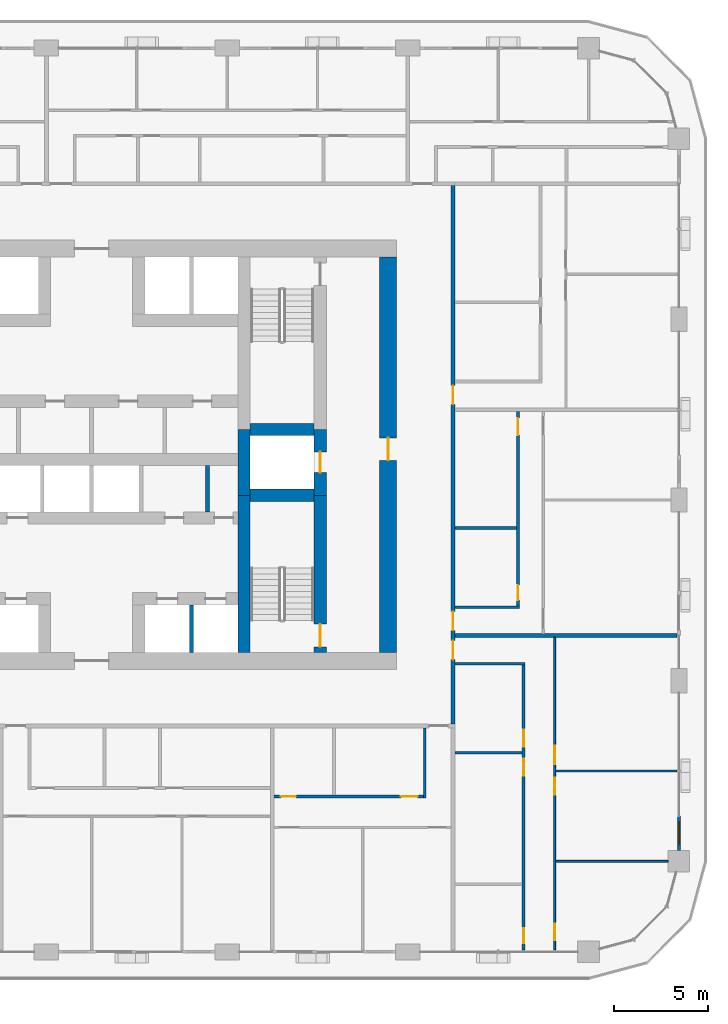
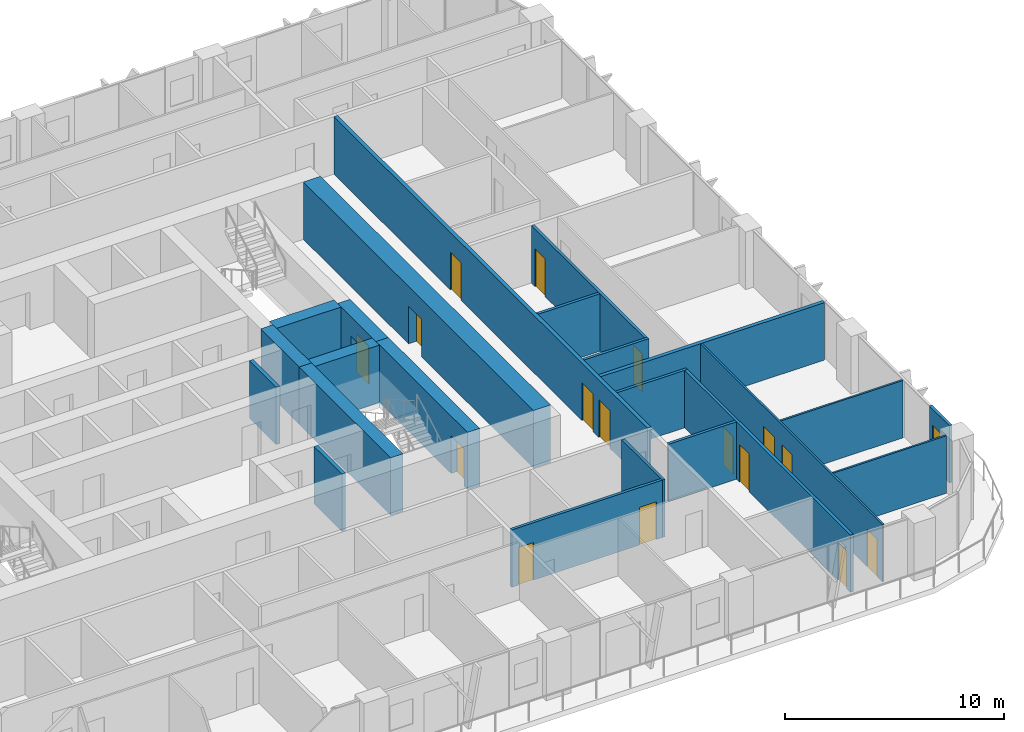
# One storey, part 12 of 22: 23 walls, 16 doors, 1 window, 17 openings.
"""IFC4 building model written with IfcOpenShell, lengths in metres."""

from ifc_helpers import new_model, si_unit, direction, frame, frame_2d, origin, place, context, subcontext, project, spatial, rectangle, extrude, material, layer, layer_set, type_object, element, fill, save


model = new_model("IFC4")

# Units and contexts
model_context = context("Model", 3, precision=1e-05, world=origin(), true_north=direction((0.0, 1.0)))
body_context = subcontext(model_context, "Body", "Model", "MODEL_VIEW")
ifc_project = project(units=[si_unit("LENGTHUNIT", "METRE"), si_unit("AREAUNIT", "SQUARE_METRE"), si_unit("VOLUMEUNIT", "CUBIC_METRE"), si_unit("PLANEANGLEUNIT", "RADIAN"), si_unit("MASSUNIT", "GRAM", prefix="KILO")], contexts=[model_context])

# Site, building, storey
site_placement = place(None, origin())
site = spatial("IfcSite", under=ifc_project, at=site_placement, CompositionType="ELEMENT")
building_placement = place(site_placement, origin())
building = spatial("IfcBuilding", under=site, at=building_placement, Name="Madar Terraces", CompositionType="ELEMENT")
storey_placement = place(building_placement, frame((0.0, 0.0, 59.300048828125)))
storey = spatial("IfcBuildingStorey", under=building, at=storey_placement, Name="L14", CompositionType="ELEMENT", Elevation=59.300048828125)

# Walls
ifc_material_1 = material(Name="Concrete C80/95", Category="concrete")
ifc_layer_1 = layer(ifc_material_1, 0.64990234375)
ifc_layer_set_1 = layer_set([ifc_layer_1], Name="Concrete C80/95 (CIW2 RC wall 650)")
wall_type_1 = type_object("IfcWallType", Name="CIW2 RC wall 650", PredefinedType="SHEAR", material=ifc_layer_set_1)
wall_1_placement = place(storey_placement, frame((39.300048828125, 15.89990234375, 0.0), z_axis=(0.0, 0.0, 1.0), x_axis=(0.0, 1.0, 0.0)))
element("IfcWall", 1, at=wall_1_placement, inside=storey, type_object=wall_type_1, Name="CORE SHAFT WALL", PredefinedType="SHEAR", context=body_context, shape_type="SweptSolid", body=[
    extrude(rectangle(XDim=8.35009765625, YDim=0.64990234375, at=frame_2d((4.175048828125, 0.0))), origin(), (0.0, 0.0, 1.0), 3.199951171875),
])
wall_2_placement = place(storey_placement, frame((39.300048828125, 24.25, 0.0), z_axis=(0.0, 0.0, 1.0), x_axis=(0.0, 1.0, 0.0)))
element("IfcWall", 2, at=wall_2_placement, inside=storey, type_object=wall_type_1, Name="CORE SHAFT WALL", PredefinedType="SHEAR", context=body_context, shape_type="SweptSolid", body=[
    extrude(rectangle(XDim=3.5, YDim=0.64990234375, at=frame_2d((1.75, 0.0))), origin(), (0.0, 0.0, 1.0), 3.199951171875),
])

# Wall, opening, door
wall_3_placement = place(storey_placement, frame((43.35009765625, 15.89990234375, 0.0), z_axis=(0.0, 0.0, 1.0), x_axis=(0.0, 1.0, 0.0)))
wall_3 = element("IfcWall", 3, at=wall_3_placement, inside=storey, type_object=wall_type_1, Name="CORE SHAFT WALL", PredefinedType="SHEAR", context=body_context, shape_type="SweptSolid", body=[
    extrude(rectangle(XDim=8.35009765625, YDim=0.64990234375, at=frame_2d((4.175048828125, 0.0))), origin(), (0.0, 0.0, 1.0), 3.199951171875),
])
opening_1_placement = place(wall_3_placement, frame((0.300048828125, 0.0, 0.0)))
opening_1 = element("IfcOpeningElement", 4, at=opening_1_placement, cuts=wall_3, Name="Opening SD1", PredefinedType="OPENING", context=body_context, shape_type="SweptSolid", body=[
    extrude(rectangle(XDim=1.199951171875, YDim=2.10009765625, at=frame_2d((0.60009765625, 1.050048828125))), frame((0.0, 0.3349609375, 0.0), z_axis=(0.0, -1.0, 0.0), x_axis=(1.0, 0.0, 0.0)), (0.0, 0.0, 1.0), 0.669921875),
])
ifc_material_2 = material(Name="Steel door leaf", Category="steel")
door_type_1 = type_object("IfcDoorType", Name="Stair door 1200 x 2100", OperationType="NOTDEFINED", PredefinedType="DOOR", material=ifc_material_2)
door_1_placement = place(opening_1_placement, origin())
door_1 = element("IfcDoor", 5, at=door_1_placement, inside=storey, type_object=door_type_1, Name="STAIR DOOR", OperationType="SINGLE_SWING_LEFT", OverallHeight=2.10009765625, OverallWidth=1.199951171875, PredefinedType="DOOR", context=body_context, shape_type="SweptSolid", body=[
    extrude(rectangle(XDim=1.199951171875, YDim=2.10009765625, at=frame_2d((0.60009765625, 1.050048828125))), frame((0.0, 0.02490234375, 0.0), z_axis=(0.0, -1.0, 0.0), x_axis=(1.0, 0.0, 0.0)), (0.0, 0.0, 1.0), 0.050048828125),
])
fill(opening_1, door_1)

wall_4_placement = place(storey_placement, frame((43.35009765625, 24.25, 0.0), z_axis=(0.0, 0.0, 1.0), x_axis=(0.0, 1.0, 0.0)))
wall_4 = element("IfcWall", 6, at=wall_4_placement, inside=storey, type_object=wall_type_1, Name="CORE SHAFT WALL", PredefinedType="SHEAR", context=body_context, shape_type="SweptSolid", body=[
    extrude(rectangle(XDim=3.5, YDim=0.64990234375, at=frame_2d((1.75, 0.0))), origin(), (0.0, 0.0, 1.0), 3.199951171875),
])
opening_2_placement = place(wall_4_placement, frame((1.199951171875, 0.0, 0.0)))
opening_2 = element("IfcOpeningElement", 7, at=opening_2_placement, cuts=wall_4, Name="Opening LD", PredefinedType="OPENING", context=body_context, shape_type="SweptSolid", body=[
    extrude(rectangle(XDim=1.10009765625, YDim=2.10009765625, at=frame_2d((0.550048828125, 1.050048828125))), frame((0.0, 0.3349609375, 0.0), z_axis=(0.0, -1.0, 0.0), x_axis=(1.0, 0.0, 0.0)), (0.0, 0.0, 1.0), 0.669921875),
])
ifc_material_3 = material(Name="Stainless steel panel", Category="steel")
door_type_2 = type_object("IfcDoorType", Name="Lift landing door 1100 x 2100", OperationType="DOUBLE_DOOR_SLIDING", PredefinedType="DOOR", material=ifc_material_3)
door_2_placement = place(opening_2_placement, origin())
door_2 = element("IfcDoor", 8, at=door_2_placement, inside=storey, type_object=door_type_2, Name="LIFT LANDING DOOR", OperationType="DOUBLE_DOOR_SLIDING", OverallHeight=2.10009765625, OverallWidth=1.10009765625, PredefinedType="DOOR", context=body_context, shape_type="SweptSolid", body=[
    extrude(rectangle(XDim=1.10009765625, YDim=2.10009765625, at=frame_2d((0.550048828125, 1.050048828125))), frame((0.0, 0.02490234375, 0.0), z_axis=(0.0, -1.0, 0.0), x_axis=(1.0, 0.0, 0.0)), (0.0, 0.0, 1.0), 0.050048828125),
])
fill(opening_2, door_2)

# Walls
for number, where, z_axis, x_axis, name in (
    (9, (39.625, 24.25, 0.0), (0.0, 0.0, 1.0), (1.0, 0.0, 0.0), "CORE SHAFT WALL"),
    (10, (39.625, 27.75, 0.0), (0.0, 0.0, 1.0), (1.0, 0.0, 0.0), "CORE SHAFT WALL"),
):
    element("IfcWall", number, at=place(storey_placement, frame(where, z_axis=z_axis, x_axis=x_axis)), inside=storey, type_object=wall_type_1, Name=name, PredefinedType="SHEAR", context=body_context, shape_type="SweptSolid", body=[
        extrude(rectangle(XDim=3.39990234375, YDim=0.64990234375, at=frame_2d((1.699951171875, 0.0))), origin(), (0.0, 0.0, 1.0), 3.199951171875),
    ])

# Wall, opening, door
ifc_material_4 = material(Name="Concrete C80/95", Category="concrete")
ifc_layer_2 = layer(ifc_material_4, 0.89990234375)
ifc_layer_set_2 = layer_set([ifc_layer_2], Name="Concrete C80/95 (CRW2 RC wall 900)")
wall_type_2 = type_object("IfcWallType", Name="CRW2 RC wall 900", PredefinedType="SHEAR", material=ifc_layer_set_2)
wall_5_placement = place(storey_placement, frame((46.949951171875, 15.89990234375, 0.0), z_axis=(0.0, 0.0, 1.0), x_axis=(0.0, 1.0, 0.0)))
wall_5 = element("IfcWall", 11, at=wall_5_placement, inside=storey, type_object=wall_type_2, Name="CORE OUTER WALL", PredefinedType="SHEAR", context=body_context, shape_type="SweptSolid", body=[
    extrude(rectangle(XDim=21.0, YDim=0.89990234375, at=frame_2d((10.5, 0.0))), origin(), (0.0, 0.0, 1.0), 3.199951171875),
])
opening_3_placement = place(wall_5_placement, frame((10.199951171875, 0.0, 0.0)))
opening_3 = element("IfcOpeningElement", 12, at=opening_3_placement, cuts=wall_5, Name="Opening SD1", PredefinedType="OPENING", context=body_context, shape_type="SweptSolid", body=[
    extrude(rectangle(XDim=1.199951171875, YDim=2.10009765625, at=frame_2d((0.60009765625, 1.050048828125))), frame((0.0, 0.4599609375, 0.0), z_axis=(0.0, -1.0, 0.0), x_axis=(1.0, 0.0, 0.0)), (0.0, 0.0, 1.0), 0.919921875),
])
door_3_placement = place(opening_3_placement, origin())
door_3 = element("IfcDoor", 13, at=door_3_placement, inside=storey, type_object=door_type_1, Name="STAIR DOOR", OperationType="SINGLE_SWING_RIGHT", OverallHeight=2.10009765625, OverallWidth=1.199951171875, PredefinedType="DOOR", context=body_context, shape_type="SweptSolid", body=[
    extrude(rectangle(XDim=1.199951171875, YDim=2.10009765625, at=frame_2d((0.60009765625, 1.050048828125))), frame((0.0, 0.02490234375, 0.0), z_axis=(0.0, -1.0, 0.0), x_axis=(1.0, 0.0, 0.0)), (0.0, 0.0, 1.0), 0.050048828125),
])
fill(opening_3, door_3)

# Walls
ifc_material_5 = material(Name="Masonry blockwork", Category="masonry")
ifc_layer_3 = layer(ifc_material_5, 0.199951171875)
ifc_layer_set_3 = layer_set([ifc_layer_3], Name="Core partition 200 blockwork")
wall_type_3 = type_object("IfcWallType", Name="Core partition 200 blockwork", PredefinedType="PARTITIONING", material=ifc_layer_set_3)
wall_6_placement = place(storey_placement, frame((37.35888671875, 23.375, 0.0), z_axis=(0.0, 0.0, 1.0), x_axis=(0.0, 1.0, 0.0)))
element("IfcWall", 14, at=wall_6_placement, inside=storey, type_object=wall_type_3, Name="SERVICE ROOM PARTITION", PredefinedType="PARTITIONING", context=body_context, shape_type="SweptSolid", body=[
    extrude(rectangle(XDim=2.449951171875, YDim=0.199951171875, at=frame_2d((1.22509765625, 0.0))), origin(), (0.0, 0.0, 1.0), 3.199951171875),
])
ifc_material_6 = material(Name="Concrete C40/50", Category="concrete")
ifc_layer_4 = layer(ifc_material_6, 0.199951171875)
ifc_layer_set_4 = layer_set([ifc_layer_4], Name="Core shaft dividing wall 200 C40/50")
wall_type_4 = type_object("IfcWallType", Name="Core shaft dividing wall 200 C40/50", PredefinedType="SOLIDWALL", material=ifc_layer_set_4)
wall_7_placement = place(storey_placement, frame((36.5, 15.89990234375, 0.0), z_axis=(0.0, 0.0, 1.0), x_axis=(0.0, 1.0, 0.0)))
element("IfcWall", 15, at=wall_7_placement, inside=storey, type_object=wall_type_4, Name="SHAFT DIVIDING WALL", PredefinedType="SOLIDWALL", context=body_context, shape_type="SweptSolid", body=[
    extrude(rectangle(XDim=2.525146484375, YDim=0.199951171875, at=frame_2d((1.2626953125, 0.0))), origin(), (0.0, 0.0, 1.0), 3.199951171875),
])

# Wall, opening, window
ifc_material_7 = material(Name="Aluminium composite panel, black, over insulated backing", Category="aluminium")
ifc_layer_5 = layer(ifc_material_7, 0.14990234375)
ifc_layer_set_5 = layer_set([ifc_layer_5], Name="Facade bay panel 150")
wall_type_5 = type_object("IfcWallType", Name="Facade bay panel 150", PredefinedType="SOLIDWALL", material=ifc_layer_set_5)
wall_8_placement = place(storey_placement, frame((62.39990234375, 5.375, 0.0), z_axis=(0.0, 0.0, 1.0), x_axis=(0.0, 1.0, 0.0)))
wall_8 = element("IfcWall", 16, at=wall_8_placement, inside=storey, type_object=wall_type_5, Name="Facade bay panel", PredefinedType="SOLIDWALL", context=body_context, shape_type="SweptSolid", body=[
    extrude(rectangle(XDim=1.824951171875, YDim=0.14990234375, at=frame_2d((0.91259765625, 0.0))), origin(), (0.0, 0.0, 1.0), 3.199951171875),
])
opening_4_placement = place(wall_8_placement, frame((0.3125, 0.0, 0.89990234375)))
opening_4 = element("IfcOpeningElement", 17, at=opening_4_placement, cuts=wall_8, Name="Opening W1", PredefinedType="OPENING", context=body_context, shape_type="SweptSolid", body=[
    extrude(rectangle(XDim=1.199951171875, YDim=1.39990234375, at=frame_2d((0.60009765625, 0.699951171875))), frame((0.0, 0.0849609375, 0.0), z_axis=(0.0, -1.0, 0.0), x_axis=(1.0, 0.0, 0.0)), (0.0, 0.0, 1.0), 0.169921875),
])
ifc_material_8 = material(Name="Glass, clear, with black aluminium frame", Category="aluminium")
window_type = type_object("IfcWindowType", Name="Vent window 1200 x 1400", PartitioningType="SINGLE_PANEL", PredefinedType="WINDOW", material=ifc_material_8)
window_placement = place(opening_4_placement, origin())
window = element("IfcWindow", 18, at=window_placement, inside=storey, type_object=window_type, Name="Operable vent window", OverallHeight=1.39990234375, OverallWidth=1.199951171875, PartitioningType="SINGLE_PANEL", PredefinedType="WINDOW", context=body_context, shape_type="SweptSolid", body=[
    extrude(rectangle(XDim=1.199951171875, YDim=1.39990234375, at=frame_2d((0.60009765625, 0.699951171875))), frame((0.0, 0.030029296875, 0.0), z_axis=(0.0, -1.0, 0.0), x_axis=(1.0, 0.0, 0.0)), (0.0, 0.0, 1.0), 0.06005859375),
])
fill(opening_4, window)

# Walls
ifc_material_9 = material(Name="Gypsum board on steel studs", Category="steel")
ifc_layer_6 = layer(ifc_material_9, 0.10009765625)
ifc_layer_set_6 = layer_set([ifc_layer_6], Name="Flat partition 100")
wall_type_6 = type_object("IfcWallType", Name="Flat partition 100", PredefinedType="PARTITIONING", material=ifc_layer_set_6)
wall_9_placement = place(storey_placement, frame((55.85009765625, 9.60009765625, 0.0), z_axis=(0.0, 0.0, 1.0), x_axis=(1.0, 0.0, 0.0)))
element("IfcWall", 19, at=wall_9_placement, inside=storey, type_object=wall_type_6, Name="Flat partition 100", PredefinedType="PARTITIONING", context=body_context, shape_type="SweptSolid", body=[
    extrude(rectangle(XDim=6.449951171875, YDim=0.10009765625, at=frame_2d((3.22509765625, 0.0))), origin(), (0.0, 0.0, 1.0), 3.199951171875),
])
wall_10_placement = place(storey_placement, frame((55.85009765625, 4.800048828125, 0.0), z_axis=(0.0, 0.0, 1.0), x_axis=(1.0, 0.0, 0.0)))
element("IfcWall", 20, at=wall_10_placement, inside=storey, type_object=wall_type_6, Name="Flat partition 100", PredefinedType="PARTITIONING", context=body_context, shape_type="SweptSolid", body=[
    extrude(rectangle(XDim=5.974853515625, YDim=0.10009765625, at=frame_2d((2.9873046875, 0.0))), origin(), (0.0, 0.0, 1.0), 3.199951171875),
])

# Wall, openings, doors
wall_11_placement = place(storey_placement, frame((55.800048828125, 16.699951171875, 0.0), z_axis=(0.0, 0.0, 1.0), x_axis=(0.0, -1.0, 0.0)))
wall_11 = element("IfcWall", 21, at=wall_11_placement, inside=storey, type_object=wall_type_6, Name="Flat partition 100", PredefinedType="PARTITIONING", context=body_context, shape_type="SweptSolid", body=[
    extrude(rectangle(XDim=16.599853515625, YDim=0.10009765625, at=frame_2d((8.2998046875, 0.0))), origin(), (0.0, 0.0, 1.0), 3.199951171875),
])
opening_5_placement = place(wall_11_placement, frame((5.75, 0.0, 0.0)))
opening_5 = element("IfcOpeningElement", 22, at=opening_5_placement, cuts=wall_11, Name="Opening D3", PredefinedType="OPENING", context=body_context, shape_type="SweptSolid", body=[
    extrude(rectangle(XDim=1.0, YDim=2.10009765625, at=frame_2d((0.5, 1.050048828125))), frame((0.0, 0.06005859375, 0.0), z_axis=(0.0, -1.0, 0.0), x_axis=(1.0, 0.0, 0.0)), (0.0, 0.0, 1.0), 0.1201171875),
])
opening_6_placement = place(wall_11_placement, frame((7.449951171875, 0.0, 0.0)))
opening_6 = element("IfcOpeningElement", 23, at=opening_6_placement, cuts=wall_11, Name="Opening D2", PredefinedType="OPENING", context=body_context, shape_type="SweptSolid", body=[
    extrude(rectangle(XDim=0.89990234375, YDim=2.10009765625, at=frame_2d((0.449951171875, 1.050048828125))), frame((0.0, 0.06005859375, 0.0), z_axis=(0.0, -1.0, 0.0), x_axis=(1.0, 0.0, 0.0)), (0.0, 0.0, 1.0), 0.1201171875),
])
opening_7_placement = place(wall_11_placement, frame((15.199951171875, 0.0, 0.0)))
opening_7 = element("IfcOpeningElement", 24, at=opening_7_placement, cuts=wall_11, Name="Opening D2", PredefinedType="OPENING", context=body_context, shape_type="SweptSolid", body=[
    extrude(rectangle(XDim=0.89990234375, YDim=2.10009765625, at=frame_2d((0.449951171875, 1.050048828125))), frame((0.0, 0.06005859375, 0.0), z_axis=(0.0, -1.0, 0.0), x_axis=(1.0, 0.0, 0.0)), (0.0, 0.0, 1.0), 0.1201171875),
])
ifc_material_10 = material(Name="Timber door leaf", Category="wood")
door_type_3 = type_object("IfcDoorType", Name="Flat living room door 1000", OperationType="NOTDEFINED", PredefinedType="DOOR", material=ifc_material_10)
door_4_placement = place(opening_5_placement, origin())
door_4 = element("IfcDoor", 25, at=door_4_placement, inside=storey, type_object=door_type_3, Name="Flat living room door 1000", OperationType="SINGLE_SWING_RIGHT", OverallHeight=2.10009765625, OverallWidth=1.0, PredefinedType="DOOR", context=body_context, shape_type="SweptSolid", body=[
    extrude(rectangle(XDim=1.0, YDim=2.10009765625, at=frame_2d((0.5, 1.050048828125))), frame((0.0, 0.02490234375, 0.0), z_axis=(0.0, -1.0, 0.0), x_axis=(1.0, 0.0, 0.0)), (0.0, 0.0, 1.0), 0.050048828125),
])
fill(opening_5, door_4)
ifc_material_11 = material(Name="Timber door leaf", Category="wood")
door_type_4 = type_object("IfcDoorType", Name="Flat room door 900", OperationType="NOTDEFINED", PredefinedType="DOOR", material=ifc_material_11)
door_5_placement = place(opening_6_placement, origin())
door_5 = element("IfcDoor", 26, at=door_5_placement, inside=storey, type_object=door_type_4, Name="Flat room door 900", OperationType="SINGLE_SWING_LEFT", OverallHeight=2.10009765625, OverallWidth=0.89990234375, PredefinedType="DOOR", context=body_context, shape_type="SweptSolid", body=[
    extrude(rectangle(XDim=0.89990234375, YDim=2.10009765625, at=frame_2d((0.449951171875, 1.050048828125))), frame((0.0, 0.02490234375, 0.0), z_axis=(0.0, -1.0, 0.0), x_axis=(1.0, 0.0, 0.0)), (0.0, 0.0, 1.0), 0.050048828125),
])
fill(opening_6, door_5)
door_6_placement = place(opening_7_placement, origin())
door_6 = element("IfcDoor", 27, at=door_6_placement, inside=storey, type_object=door_type_4, Name="Flat room door 900", OperationType="SINGLE_SWING_RIGHT", OverallHeight=2.10009765625, OverallWidth=0.89990234375, PredefinedType="DOOR", context=body_context, shape_type="SweptSolid", body=[
    extrude(rectangle(XDim=0.89990234375, YDim=2.10009765625, at=frame_2d((0.449951171875, 1.050048828125))), frame((0.0, 0.02490234375, 0.0), z_axis=(0.0, -1.0, 0.0), x_axis=(1.0, 0.0, 0.0)), (0.0, 0.0, 1.0), 0.050048828125),
])
fill(opening_7, door_6)

ifc_material_12 = material(Name="Lightweight blockwork", Category="masonry")
ifc_layer_7 = layer(ifc_material_12, 0.199951171875)
ifc_layer_set_7 = layer_set([ifc_layer_7], Name="Flat party and entrance wall 200")
wall_type_7 = type_object("IfcWallType", Name="Flat party and entrance wall 200", PredefinedType="PARTITIONING", material=ifc_layer_set_7)
wall_12_placement = place(storey_placement, frame((50.39990234375, 40.699951171875, 0.0), z_axis=(0.0, 0.0, 1.0), x_axis=(0.0, -1.0, 0.0)))
wall_12 = element("IfcWall", 28, at=wall_12_placement, inside=storey, type_object=wall_type_7, Name="Flat party and entrance wall 200", PredefinedType="PARTITIONING", context=body_context, shape_type="SweptSolid", body=[
    extrude(rectangle(XDim=28.599853515625, YDim=0.199951171875, at=frame_2d((14.2998046875, 0.0))), origin(), (0.0, 0.0, 1.0), 3.199951171875),
])
opening_8_placement = place(wall_12_placement, frame((24.175048828125, 0.0, 0.0)))
opening_8 = element("IfcOpeningElement", 29, at=opening_8_placement, cuts=wall_12, Name="Opening D1", PredefinedType="OPENING", context=body_context, shape_type="SweptSolid", body=[
    extrude(rectangle(XDim=1.0, YDim=2.10009765625, at=frame_2d((0.5, 1.050048828125))), frame((0.0, 0.10986328125, 0.0), z_axis=(0.0, -1.0, 0.0), x_axis=(1.0, 0.0, 0.0)), (0.0, 0.0, 1.0), 0.219970703125),
])
opening_9_placement = place(wall_12_placement, frame((22.625, 0.0, 0.0)))
opening_9 = element("IfcOpeningElement", 30, at=opening_9_placement, cuts=wall_12, Name="Opening D1", PredefinedType="OPENING", context=body_context, shape_type="SweptSolid", body=[
    extrude(rectangle(XDim=1.0, YDim=2.10009765625, at=frame_2d((0.5, 1.050048828125))), frame((0.0, 0.10986328125, 0.0), z_axis=(0.0, -1.0, 0.0), x_axis=(1.0, 0.0, 0.0)), (0.0, 0.0, 1.0), 0.219970703125),
])
opening_10_placement = place(wall_12_placement, frame((10.625, 0.0, 0.0)))
opening_10 = element("IfcOpeningElement", 31, at=opening_10_placement, cuts=wall_12, Name="Opening D1", PredefinedType="OPENING", context=body_context, shape_type="SweptSolid", body=[
    extrude(rectangle(XDim=1.0, YDim=2.10009765625, at=frame_2d((0.5, 1.050048828125))), frame((0.0, 0.10986328125, 0.0), z_axis=(0.0, -1.0, 0.0), x_axis=(1.0, 0.0, 0.0)), (0.0, 0.0, 1.0), 0.219970703125),
])
ifc_material_13 = material(Name="Timber fire door leaf", Category="wood")
door_type_5 = type_object("IfcDoorType", Name="Flat entrance door 1000 FD30S", OperationType="NOTDEFINED", PredefinedType="DOOR", material=ifc_material_13)
door_7_placement = place(opening_8_placement, origin())
door_7 = element("IfcDoor", 32, at=door_7_placement, inside=storey, type_object=door_type_5, Name="Flat entrance door 1000 FD30S", OperationType="SINGLE_SWING_LEFT", OverallHeight=2.10009765625, OverallWidth=1.0, PredefinedType="DOOR", context=body_context, shape_type="SweptSolid", body=[
    extrude(rectangle(XDim=1.0, YDim=2.10009765625, at=frame_2d((0.5, 1.050048828125))), frame((0.0, 0.02490234375, 0.0), z_axis=(0.0, -1.0, 0.0), x_axis=(1.0, 0.0, 0.0)), (0.0, 0.0, 1.0), 0.050048828125),
])
fill(opening_8, door_7)
door_8_placement = place(opening_9_placement, origin())
door_8 = element("IfcDoor", 33, at=door_8_placement, inside=storey, type_object=door_type_5, Name="Flat entrance door 1000 FD30S", OperationType="SINGLE_SWING_RIGHT", OverallHeight=2.10009765625, OverallWidth=1.0, PredefinedType="DOOR", context=body_context, shape_type="SweptSolid", body=[
    extrude(rectangle(XDim=1.0, YDim=2.10009765625, at=frame_2d((0.5, 1.050048828125))), frame((0.0, 0.02490234375, 0.0), z_axis=(0.0, -1.0, 0.0), x_axis=(1.0, 0.0, 0.0)), (0.0, 0.0, 1.0), 0.050048828125),
])
fill(opening_9, door_8)
door_9_placement = place(opening_10_placement, origin())
door_9 = element("IfcDoor", 34, at=door_9_placement, inside=storey, type_object=door_type_5, Name="Flat entrance door 1000 FD30S", OperationType="SINGLE_SWING_RIGHT", OverallHeight=2.10009765625, OverallWidth=1.0, PredefinedType="DOOR", context=body_context, shape_type="SweptSolid", body=[
    extrude(rectangle(XDim=1.0, YDim=2.10009765625, at=frame_2d((0.5, 1.050048828125))), frame((0.0, 0.02490234375, 0.0), z_axis=(0.0, -1.0, 0.0), x_axis=(1.0, 0.0, 0.0)), (0.0, 0.0, 1.0), 0.050048828125),
])
fill(opening_10, door_9)

# Walls
wall_13_placement = place(storey_placement, frame((50.5, 16.800048828125, 0.0), z_axis=(0.0, 0.0, 1.0), x_axis=(1.0, 0.0, 0.0)))
element("IfcWall", 35, at=wall_13_placement, inside=storey, type_object=wall_type_7, Name="Flat party and entrance wall 200", PredefinedType="PARTITIONING", context=body_context, shape_type="SweptSolid", body=[
    extrude(rectangle(XDim=11.800048828125, YDim=0.199951171875, at=frame_2d((5.89990234375, 0.0))), origin(), (0.0, 0.0, 1.0), 3.199951171875),
])
ifc_material_14 = material(Name="Lightweight blockwork", Category="masonry")
ifc_layer_8 = layer(ifc_material_14, 0.14990234375)
ifc_layer_set_8 = layer_set([ifc_layer_8], Name="Flat wet-room partition 150")
wall_type_8 = type_object("IfcWallType", Name="Flat wet-room partition 150", PredefinedType="PARTITIONING", material=ifc_layer_set_8)
wall_14_placement = place(storey_placement, frame((48.89990234375, 11.89990234375, 0.0), z_axis=(0.0, 0.0, 1.0), x_axis=(0.0, -1.0, 0.0)))
element("IfcWall", 36, at=wall_14_placement, inside=storey, type_object=wall_type_8, Name="Flat wet-room partition 150", PredefinedType="PARTITIONING", context=body_context, shape_type="SweptSolid", body=[
    extrude(rectangle(XDim=3.724853515625, YDim=0.14990234375, at=frame_2d((1.8623046875, 0.0))), origin(), (0.0, 0.0, 1.0), 3.199951171875),
])

# Wall, openings, doors
wall_15_placement = place(storey_placement, frame((40.89990234375, 8.25, 0.0), z_axis=(0.0, 0.0, 1.0), x_axis=(1.0, 0.0, 0.0)))
wall_15 = element("IfcWall", 37, at=wall_15_placement, inside=storey, type_object=wall_type_8, Name="Flat wet-room partition 150", PredefinedType="PARTITIONING", context=body_context, shape_type="SweptSolid", body=[
    extrude(rectangle(XDim=7.925048828125, YDim=0.14990234375, at=frame_2d((3.96240234375, 0.0))), origin(), (0.0, 0.0, 1.0), 3.199951171875),
])
opening_11_placement = place(wall_15_placement, frame((6.72509765625, 0.0, 0.0)))
opening_11 = element("IfcOpeningElement", 38, at=opening_11_placement, cuts=wall_15, Name="Opening D2", PredefinedType="OPENING", context=body_context, shape_type="SweptSolid", body=[
    extrude(rectangle(XDim=0.89990234375, YDim=2.10009765625, at=frame_2d((0.449951171875, 1.050048828125))), frame((0.0, 0.0849609375, 0.0), z_axis=(0.0, -1.0, 0.0), x_axis=(1.0, 0.0, 0.0)), (0.0, 0.0, 1.0), 0.169921875),
])
opening_12_placement = place(wall_15_placement, frame((0.35009765625, 0.0, 0.0)))
opening_12 = element("IfcOpeningElement", 39, at=opening_12_placement, cuts=wall_15, Name="Opening D4", PredefinedType="OPENING", context=body_context, shape_type="SweptSolid", body=[
    extrude(rectangle(XDim=0.800048828125, YDim=2.10009765625, at=frame_2d((0.39990234375, 1.050048828125))), frame((0.0, 0.0849609375, 0.0), z_axis=(0.0, -1.0, 0.0), x_axis=(1.0, 0.0, 0.0)), (0.0, 0.0, 1.0), 0.169921875),
])
ifc_material_15 = material(Name="Timber door leaf", Category="wood")
door_type_6 = type_object("IfcDoorType", Name="Flat bathroom door 800", OperationType="NOTDEFINED", PredefinedType="DOOR", material=ifc_material_15)
door_10_placement = place(opening_12_placement, origin())
door_10 = element("IfcDoor", 40, at=door_10_placement, inside=storey, type_object=door_type_6, Name="Flat bathroom door 800", OperationType="SINGLE_SWING_LEFT", OverallHeight=2.10009765625, OverallWidth=0.800048828125, PredefinedType="DOOR", context=body_context, shape_type="SweptSolid", body=[
    extrude(rectangle(XDim=0.800048828125, YDim=2.10009765625, at=frame_2d((0.39990234375, 1.050048828125))), frame((0.0, 0.02490234375, 0.0), z_axis=(0.0, -1.0, 0.0), x_axis=(1.0, 0.0, 0.0)), (0.0, 0.0, 1.0), 0.050048828125),
])
fill(opening_12, door_10)
door_11_placement = place(opening_11_placement, origin())
door_11 = element("IfcDoor", 41, at=door_11_placement, inside=storey, type_object=door_type_4, Name="Flat room door 900", OperationType="SINGLE_SWING_RIGHT", OverallHeight=2.10009765625, OverallWidth=0.89990234375, PredefinedType="DOOR", context=body_context, shape_type="SweptSolid", body=[
    extrude(rectangle(XDim=0.89990234375, YDim=2.10009765625, at=frame_2d((0.449951171875, 1.050048828125))), frame((0.0, 0.02490234375, 0.0), z_axis=(0.0, -1.0, 0.0), x_axis=(1.0, 0.0, 0.0)), (0.0, 0.0, 1.0), 0.050048828125),
])
fill(opening_11, door_11)

# Walls
wall_16_placement = place(storey_placement, frame((50.5, 10.5712890625, 0.0), z_axis=(0.0, 0.0, 1.0), x_axis=(1.0, 0.0, 0.0)))
element("IfcWall", 42, at=wall_16_placement, inside=storey, type_object=wall_type_8, Name="Flat wet-room partition 150", PredefinedType="PARTITIONING", context=body_context, shape_type="SweptSolid", body=[
    extrude(rectangle(XDim=3.574951171875, YDim=0.14990234375, at=frame_2d((1.78759765625, 0.0))), origin(), (0.0, 0.0, 1.0), 3.199951171875),
])
wall_17_placement = place(storey_placement, frame((50.5, 15.300048828125, 0.0), z_axis=(0.0, 0.0, 1.0), x_axis=(1.0, 0.0, 0.0)))
element("IfcWall", 43, at=wall_17_placement, inside=storey, type_object=wall_type_8, Name="Flat wet-room partition 150", PredefinedType="PARTITIONING", context=body_context, shape_type="SweptSolid", body=[
    extrude(rectangle(XDim=3.72509765625, YDim=0.14990234375, at=frame_2d((1.862548828125, 0.0))), origin(), (0.0, 0.0, 1.0), 3.199951171875),
])

# Wall, openings, doors
wall_18_placement = place(storey_placement, frame((54.14990234375, 0.10009765625, 0.0), z_axis=(0.0, 0.0, 1.0), x_axis=(0.0, 1.0, 0.0)))
wall_18 = element("IfcWall", 44, at=wall_18_placement, inside=storey, type_object=wall_type_8, Name="Flat wet-room partition 150", PredefinedType="PARTITIONING", context=body_context, shape_type="SweptSolid", body=[
    extrude(rectangle(XDim=15.125, YDim=0.14990234375, at=frame_2d((7.5625, 0.0))), origin(), (0.0, 0.0, 1.0), 3.199951171875),
])
opening_13_placement = place(wall_18_placement, frame((10.796142578125, 0.0, 0.0)))
opening_13 = element("IfcOpeningElement", 45, at=opening_13_placement, cuts=wall_18, Name="Opening D5", PredefinedType="OPENING", context=body_context, shape_type="SweptSolid", body=[
    extrude(rectangle(XDim=0.89990234375, YDim=2.10009765625, at=frame_2d((0.449951171875, 1.050048828125))), frame((0.0, 0.0849609375, 0.0), z_axis=(0.0, -1.0, 0.0), x_axis=(1.0, 0.0, 0.0)), (0.0, 0.0, 1.0), 0.169921875),
])
opening_14_placement = place(wall_18_placement, frame((9.24609375, 0.0, 0.0)))
opening_14 = element("IfcOpeningElement", 46, at=opening_14_placement, cuts=wall_18, Name="Opening D2", PredefinedType="OPENING", context=body_context, shape_type="SweptSolid", body=[
    extrude(rectangle(XDim=0.89990234375, YDim=2.10009765625, at=frame_2d((0.449951171875, 1.050048828125))), frame((0.0, 0.0849609375, 0.0), z_axis=(0.0, -1.0, 0.0), x_axis=(1.0, 0.0, 0.0)), (0.0, 0.0, 1.0), 0.169921875),
])
opening_15_placement = place(wall_18_placement, frame((0.35009765625, 0.0, 0.0)))
opening_15 = element("IfcOpeningElement", 47, at=opening_15_placement, cuts=wall_18, Name="Opening D4", PredefinedType="OPENING", context=body_context, shape_type="SweptSolid", body=[
    extrude(rectangle(XDim=0.800048828125, YDim=2.10009765625, at=frame_2d((0.39990234375, 1.050048828125))), frame((0.0, 0.0849609375, 0.0), z_axis=(0.0, -1.0, 0.0), x_axis=(1.0, 0.0, 0.0)), (0.0, 0.0, 1.0), 0.169921875),
])
ifc_material_16 = material(Name="Timber door leaf", Category="wood")
door_type_7 = type_object("IfcDoorType", Name="Flat accessible bathroom door 900", OperationType="NOTDEFINED", PredefinedType="DOOR", material=ifc_material_16)
door_12_placement = place(opening_13_placement, origin())
door_12 = element("IfcDoor", 48, at=door_12_placement, inside=storey, type_object=door_type_7, Name="Flat accessible bathroom door 900", OperationType="SINGLE_SWING_LEFT", OverallHeight=2.10009765625, OverallWidth=0.89990234375, PredefinedType="DOOR", context=body_context, shape_type="SweptSolid", body=[
    extrude(rectangle(XDim=0.89990234375, YDim=2.10009765625, at=frame_2d((0.449951171875, 1.050048828125))), frame((0.0, 0.02490234375, 0.0), z_axis=(0.0, -1.0, 0.0), x_axis=(1.0, 0.0, 0.0)), (0.0, 0.0, 1.0), 0.050048828125),
])
fill(opening_13, door_12)
door_13_placement = place(opening_15_placement, origin())
door_13 = element("IfcDoor", 49, at=door_13_placement, inside=storey, type_object=door_type_6, Name="Flat bathroom door 800", OperationType="SINGLE_SWING_LEFT", OverallHeight=2.10009765625, OverallWidth=0.800048828125, PredefinedType="DOOR", context=body_context, shape_type="SweptSolid", body=[
    extrude(rectangle(XDim=0.800048828125, YDim=2.10009765625, at=frame_2d((0.39990234375, 1.050048828125))), frame((0.0, 0.02490234375, 0.0), z_axis=(0.0, -1.0, 0.0), x_axis=(1.0, 0.0, 0.0)), (0.0, 0.0, 1.0), 0.050048828125),
])
fill(opening_15, door_13)
door_14_placement = place(opening_14_placement, origin())
door_14 = element("IfcDoor", 50, at=door_14_placement, inside=storey, type_object=door_type_4, Name="Flat room door 900", OperationType="SINGLE_SWING_RIGHT", OverallHeight=2.10009765625, OverallWidth=0.89990234375, PredefinedType="DOOR", context=body_context, shape_type="SweptSolid", body=[
    extrude(rectangle(XDim=0.89990234375, YDim=2.10009765625, at=frame_2d((0.449951171875, 1.050048828125))), frame((0.0, 0.02490234375, 0.0), z_axis=(0.0, -1.0, 0.0), x_axis=(1.0, 0.0, 0.0)), (0.0, 0.0, 1.0), 0.050048828125),
])
fill(opening_14, door_14)

# Walls
wall_19_placement = place(storey_placement, frame((50.5, 22.5048828125, 0.0), z_axis=(0.0, 0.0, 1.0), x_axis=(1.0, 0.0, 0.0)))
element("IfcWall", 51, at=wall_19_placement, inside=storey, type_object=wall_type_8, Name="Flat wet-room partition 150", PredefinedType="PARTITIONING", context=body_context, shape_type="SweptSolid", body=[
    extrude(rectangle(XDim=3.27490234375, YDim=0.14990234375, at=frame_2d((1.637451171875, 0.0))), origin(), (0.0, 0.0, 1.0), 3.199951171875),
])
wall_20_placement = place(storey_placement, frame((50.5, 18.300048828125, 0.0), z_axis=(0.0, 0.0, 1.0), x_axis=(1.0, 0.0, 0.0)))
element("IfcWall", 52, at=wall_20_placement, inside=storey, type_object=wall_type_8, Name="Flat wet-room partition 150", PredefinedType="PARTITIONING", context=body_context, shape_type="SweptSolid", body=[
    extrude(rectangle(XDim=3.425048828125, YDim=0.14990234375, at=frame_2d((1.71240234375, 0.0))), origin(), (0.0, 0.0, 1.0), 3.199951171875),
])

# Wall, openings, doors
wall_21_placement = place(storey_placement, frame((53.85009765625, 18.375, 0.0), z_axis=(0.0, 0.0, 1.0), x_axis=(0.0, 1.0, 0.0)))
wall_21 = element("IfcWall", 53, at=wall_21_placement, inside=storey, type_object=wall_type_8, Name="Flat wet-room partition 150", PredefinedType="PARTITIONING", context=body_context, shape_type="SweptSolid", body=[
    extrude(rectangle(XDim=10.324951171875, YDim=0.14990234375, at=frame_2d((5.16259765625, 0.0))), origin(), (0.0, 0.0, 1.0), 3.199951171875),
])
opening_16_placement = place(wall_21_placement, frame((0.300048828125, 0.0, 0.0)))
opening_16 = element("IfcOpeningElement", 54, at=opening_16_placement, cuts=wall_21, Name="Opening D4", PredefinedType="OPENING", context=body_context, shape_type="SweptSolid", body=[
    extrude(rectangle(XDim=0.800048828125, YDim=2.10009765625, at=frame_2d((0.39990234375, 1.050048828125))), frame((0.0, 0.0849609375, 0.0), z_axis=(0.0, -1.0, 0.0), x_axis=(1.0, 0.0, 0.0)), (0.0, 0.0, 1.0), 0.169921875),
])
opening_17_placement = place(wall_21_placement, frame((9.074951171875, 0.0, 0.0)))
opening_17 = element("IfcOpeningElement", 55, at=opening_17_placement, cuts=wall_21, Name="Opening D2", PredefinedType="OPENING", context=body_context, shape_type="SweptSolid", body=[
    extrude(rectangle(XDim=0.89990234375, YDim=2.10009765625, at=frame_2d((0.449951171875, 1.050048828125))), frame((0.0, 0.0849609375, 0.0), z_axis=(0.0, -1.0, 0.0), x_axis=(1.0, 0.0, 0.0)), (0.0, 0.0, 1.0), 0.169921875),
])
door_15_placement = place(opening_16_placement, origin())
door_15 = element("IfcDoor", 56, at=door_15_placement, inside=storey, type_object=door_type_6, Name="Flat bathroom door 800", OperationType="SINGLE_SWING_LEFT", OverallHeight=2.10009765625, OverallWidth=0.800048828125, PredefinedType="DOOR", context=body_context, shape_type="SweptSolid", body=[
    extrude(rectangle(XDim=0.800048828125, YDim=2.10009765625, at=frame_2d((0.39990234375, 1.050048828125))), frame((0.0, 0.02490234375, 0.0), z_axis=(0.0, -1.0, 0.0), x_axis=(1.0, 0.0, 0.0)), (0.0, 0.0, 1.0), 0.050048828125),
])
fill(opening_16, door_15)
door_16_placement = place(opening_17_placement, origin())
door_16 = element("IfcDoor", 57, at=door_16_placement, inside=storey, type_object=door_type_4, Name="Flat room door 900", OperationType="SINGLE_SWING_RIGHT", OverallHeight=2.10009765625, OverallWidth=0.89990234375, PredefinedType="DOOR", context=body_context, shape_type="SweptSolid", body=[
    extrude(rectangle(XDim=0.89990234375, YDim=2.10009765625, at=frame_2d((0.449951171875, 1.050048828125))), frame((0.0, 0.02490234375, 0.0), z_axis=(0.0, -1.0, 0.0), x_axis=(1.0, 0.0, 0.0)), (0.0, 0.0, 1.0), 0.050048828125),
])
fill(opening_17, door_16)

save(model, "model.ifc")
